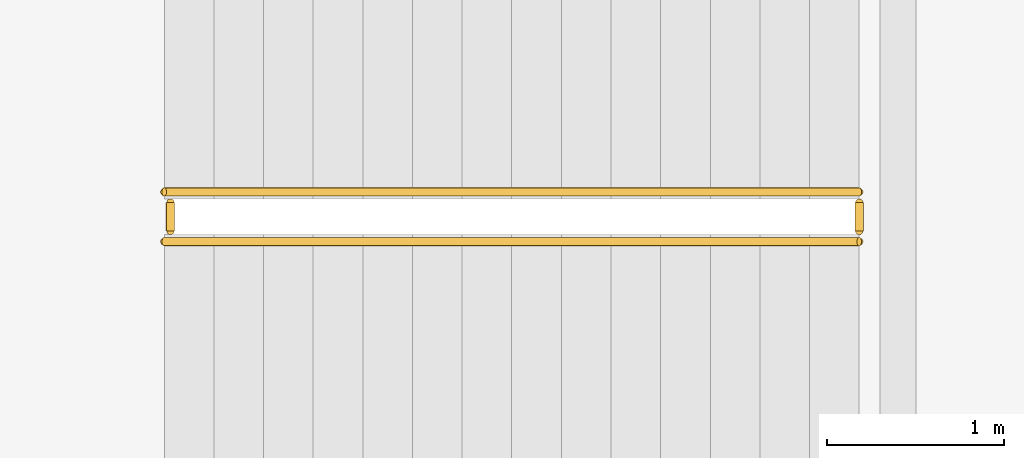
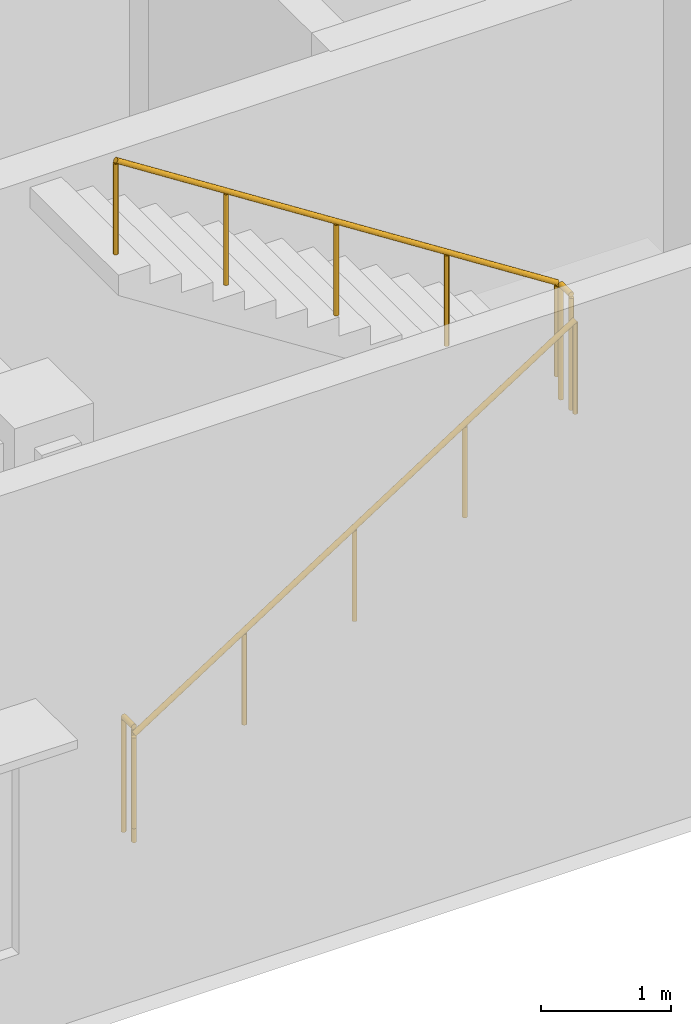
# One storey, part 63 of 64: 4 railings.
"""IFC4 building model written with IfcOpenShell, lengths in metres."""

import ifcopenshell
import ifcopenshell.guid

model = None  # the IFC model being written
_history = None  # IfcOwnerHistory: only IFC2X3 demands one
_inside = {}  # id of a spatial element -> (the spatial element, [elements in it])
_under = {}  # id of a project, library or spatial element -> (it, [spatial elements below it])
_declared = {}  # id of a project -> (the project, [libraries it declares])
_typed = {}  # id of a type object -> (the type object, [elements of that type])
_made_of = {}  # id of a material, layer set ... -> (it, [elements and type objects made of it])


def new_model(schema):
    """Start an empty IFC model of exactly this schema.

    Asked for "IFC4X3", IfcOpenShell would pick the latest addendum, in which some entities
    have other attributes; the version numbers below select the first issue.
    IFC2X3 requires an IfcOwnerHistory on every rooted entity: one is made here for all.
    """
    global model, _history
    if schema == "IFC4X3":
        model = ifcopenshell.file(schema_version=(4, 3, 0, 0))
    else:
        model = ifcopenshell.file(schema=schema)
    _inside.clear()
    _under.clear()
    _declared.clear()
    _typed.clear()
    _made_of.clear()
    _history = None
    if model.schema == "IFC2X3":
        org = make("IfcOrganization", Name="unknown")
        user = make(
            "IfcPersonAndOrganization",
            ThePerson=make("IfcPerson", FamilyName="unknown"),
            TheOrganization=org,
        )
        app = make(
            "IfcApplication",
            ApplicationDeveloper=org,
            Version="unknown",
            ApplicationFullName="unknown",
            ApplicationIdentifier="unknown",
        )
        _history = make(
            "IfcOwnerHistory",
            OwningUser=user,
            OwningApplication=app,
            ChangeAction="ADDED",
            CreationDate=0,
        )
    return model


def make(cls, **values):
    """One entity of the class cls with the attributes given. An attribute that is None is left unset."""
    return model.create_entity(
        cls, **{name: value for name, value in values.items() if value is not None}
    )


def rooted(cls, **values):
    """An entity with a GlobalId (a new one), such as an element, a storey or a relation."""
    return make(cls, GlobalId=ifcopenshell.guid.new(), OwnerHistory=_history, **values)


def si_unit(unit_type, name, prefix=None):
    """IfcSIUnit, for example si_unit("LENGTHUNIT", "METRE", prefix="MILLI")."""
    return make("IfcSIUnit", UnitType=unit_type, Prefix=prefix, Name=name)


def assignment(units):
    """IfcUnitAssignment: the units of a project."""
    return None if units is None else make("IfcUnitAssignment", Units=units)


def point(xyz):
    """IfcCartesianPoint."""
    return None if xyz is None else make("IfcCartesianPoint", Coordinates=xyz)


def direction(xyz):
    """IfcDirection."""
    return None if xyz is None else make("IfcDirection", DirectionRatios=xyz)


def frame(location, z_axis=None, x_axis=None):
    """IfcAxis2Placement3D, a coordinate frame: its origin and axes. An axis left out is left unset."""
    return make(
        "IfcAxis2Placement3D",
        Location=point(location),
        Axis=direction(z_axis),
        RefDirection=direction(x_axis),
    )


def frame_2d(location, x_axis=None):
    """IfcAxis2Placement2D, a coordinate frame in the plane: its origin and x axis."""
    return make(
        "IfcAxis2Placement2D", Location=point(location), RefDirection=direction(x_axis)
    )


def origin():
    """The frame at (0, 0, 0) with its axes left unset."""
    return frame((0.0, 0.0, 0.0))


def origin_2d():
    """The frame at (0, 0) in the plane with its x axis left unset."""
    return frame_2d((0.0, 0.0))


def place(relative_to, where):
    """IfcLocalPlacement: puts the frame where relative to a parent placement (None: the world)."""
    return make(
        "IfcLocalPlacement", PlacementRelTo=relative_to, RelativePlacement=where
    )


def context(
    kind, dimensions, precision=None, world=None, true_north=None, identifier=None
):
    """IfcGeometricRepresentationContext, for example the 3D "Model" context."""
    return make(
        "IfcGeometricRepresentationContext",
        ContextIdentifier=identifier,
        ContextType=kind,
        CoordinateSpaceDimension=dimensions,
        Precision=precision,
        WorldCoordinateSystem=world,
        TrueNorth=true_north,
    )


def subcontext(parent, identifier, kind, view, scale=None):
    """IfcGeometricRepresentationSubContext, for example "Body" below "Model"."""
    return make(
        "IfcGeometricRepresentationSubContext",
        ContextIdentifier=identifier,
        ContextType=kind,
        ParentContext=parent,
        TargetScale=scale,
        TargetView=view,
    )


def project(units=None, contexts=None):
    """IfcProject with its units and contexts."""
    return rooted(
        "IfcProject",
        Name="project",
        RepresentationContexts=contexts,
        UnitsInContext=assignment(units),
    )


def spatial(cls, under=None, at=None, **own):
    """A site, building, storey or space (cls), placed at a placement, below another one or the project."""
    s = rooted(cls, ObjectPlacement=at, **own)
    if under is not None:
        _under.setdefault(under.id(), (under, []))[1].append(s)
    return s


def profile(cls, at=None, kind="AREA", **sizes):
    """A parametric profile (cls). Its sizes go by their IFC names, for example OverallWidth=200.0."""
    return make(cls, ProfileType=kind, Position=at, **sizes)


def circle(**sizes):
    """IfcCircleProfileDef."""
    return profile("IfcCircleProfileDef", **sizes)


def extrude(swept, where, along, depth):
    """IfcExtrudedAreaSolid: the profile swept, set in the frame where, extruded along a direction by depth."""
    return make(
        "IfcExtrudedAreaSolid",
        SweptArea=swept,
        Position=where,
        ExtrudedDirection=direction(along),
        Depth=depth,
    )


def shape(context_of_items, identifier, shape_type, items):
    """IfcShapeRepresentation: the items that make up one representation, for example the "Body"."""
    return make(
        "IfcShapeRepresentation",
        ContextOfItems=context_of_items,
        RepresentationIdentifier=identifier,
        RepresentationType=shape_type,
        Items=items,
    )


def material(Name=None, Category=None):
    """IfcMaterial."""
    return make("IfcMaterial", Name=Name, Category=Category)


def made_of(thing, what):
    """Note that an element or type object is made of a material, layer set ...; save() writes the relation."""
    if what is not None:
        _made_of.setdefault(what.id(), (what, []))[1].append(thing)
    return thing


def type_object(cls, material=None, **own):
    """A type object (cls), such as IfcWallType, which elements share."""
    return made_of(rooted(cls, **own), material)


def element(
    cls,
    number,
    at=None,
    inside=None,
    cuts=None,
    type_object=None,
    material=None,
    context=None,
    identifier="Body",
    shape_type=None,
    held_by="IfcProductDefinitionShape",
    body=None,
    shapes=None,
    **own,
):
    """One element of the class cls, such as IfcWall. Its Tag is "e" and its number.

    at: its placement. inside: the storey or other place that contains it. cuts: it is an
    opening in that element (IfcRelVoidsElement). A single representation is given by context,
    identifier, shape_type and body (its items); several are given by shapes. held_by: the class
    of the entity that holds the representations. save() writes the other relations.
    """
    e = rooted(cls, Tag="e%d" % number, ObjectPlacement=at, **own)
    if body is not None:
        shapes = [shape(context, identifier, shape_type, body)]
    if shapes is not None:
        e.Representation = make(held_by, Representations=shapes)
    if inside is not None:
        _inside.setdefault(inside.id(), (inside, []))[1].append(e)
    if cuts is not None:
        rooted(
            "IfcRelVoidsElement", RelatingBuildingElement=cuts, RelatedOpeningElement=e
        )
    if type_object is not None:
        _typed.setdefault(type_object.id(), (type_object, []))[1].append(e)
    return made_of(e, material)


def aggregate(whole, parts):
    """IfcRelAggregates: a whole, such as a stair, and the parts it consists of."""
    return rooted("IfcRelAggregates", RelatingObject=whole, RelatedObjects=parts)


def save(model, path):
    """Write the relations noted so far, then the file.

    IfcRelAggregates (storeys below a building ...), IfcRelContainedInSpatialStructure (elements
    in a storey), IfcRelDefinesByType, IfcRelAssociatesMaterial and IfcRelDeclares: one each for
    every whole, place, type object, material and project.
    """
    for whole, parts in _under.values():
        aggregate(whole, parts)
    for where, things in _inside.values():
        rooted(
            "IfcRelContainedInSpatialStructure",
            RelatedElements=things,
            RelatingStructure=where,
        )
    for kind, things in _typed.values():
        rooted("IfcRelDefinesByType", RelatedObjects=things, RelatingType=kind)
    for what, things in _made_of.values():
        rooted("IfcRelAssociatesMaterial", RelatedObjects=things, RelatingMaterial=what)
    for by, libraries in _declared.values():
        rooted("IfcRelDeclares", RelatingContext=by, RelatedDefinitions=libraries)
    model.write(path)


model = new_model("IFC4")

# Units and contexts
model_context = context("Model", 3, precision=1e-05, world=origin(), true_north=direction((0.0, 1.0)))
body_context = subcontext(model_context, "Body", "Model", "MODEL_VIEW")
ifc_project = project(units=[si_unit("LENGTHUNIT", "METRE"), si_unit("AREAUNIT", "SQUARE_METRE"), si_unit("VOLUMEUNIT", "CUBIC_METRE"), si_unit("PLANEANGLEUNIT", "RADIAN"), si_unit("MASSUNIT", "GRAM", prefix="KILO")], contexts=[model_context])

# Site, building, storey
site_placement = place(None, origin())
site = spatial("IfcSite", under=ifc_project, at=site_placement, CompositionType="ELEMENT")
building_placement = place(site_placement, origin())
building = spatial("IfcBuilding", under=site, at=building_placement, Name="Cinchona Park Media Centre", CompositionType="ELEMENT")
storey_placement = place(building_placement, frame((0.0, 0.0, 10.199951171875)))
storey = spatial("IfcBuildingStorey", under=building, at=storey_placement, Name="L02", CompositionType="ELEMENT", Elevation=10.199951171875)

# Railings
ifc_material_1 = material(Name="Painted Steel Stairwell Guardrail", Category="steel")
railing_type_1 = type_object("IfcRailingType", Name="RAILING-GR02", PredefinedType="GUARDRAIL", material=ifc_material_1)
for number, where, name in (
    (1, (166.135009765625, 73.320068359375, 0.0), "Stairwell Guardrail GR02 ST1 L02"),
    (2, (170.02001953125, 73.320068359375, 2.699951171875), "Half-Landing Guardrail GR02 ST1 L02"),
):
    element("IfcRailing", number, at=place(storey_placement, frame(where)), inside=storey, type_object=railing_type_1, Name=name, PredefinedType="GUARDRAIL", context=body_context, shape_type="SweptSolid", body=[
        extrude(circle(Radius=0.02392578125, at=origin_2d()), frame((0.0, 0.0, 1.076171875), z_axis=(0.0, 1.0, 0.0), x_axis=(-1.0, 0.0, 0.0)), (0.0, 0.0, 1.0), 0.159912109375),
        extrude(circle(Radius=0.02099609375, at=origin_2d()), origin(), (0.0, 0.0, 1.0), 1.052001953125),
        extrude(circle(Radius=0.02099609375, at=origin_2d()), frame((0.0, 0.159912109375, 0.0)), (0.0, 0.0, 1.0), 1.052001953125),
    ])
ifc_material_2 = material(Name="Brushed Stainless Steel Handrail", Category="steel")
railing_type_2 = type_object("IfcRailingType", Name="RAILING-HR01", PredefinedType="HANDRAIL", material=ifc_material_2)
railing_1_placement = place(storey_placement, frame((166.10009765625, 73.260009765625, 0.179931640625)))
element("IfcRailing", 3, at=railing_1_placement, inside=storey, type_object=railing_type_2, Name="Stair Handrail HR01 ST1 L02 F1", PredefinedType="HANDRAIL", context=body_context, shape_type="SweptSolid", body=[
    extrude(circle(Radius=0.02392578125, at=origin_2d()), frame((0.0, 0.0, 0.8759765625), z_axis=(0.841171666519, 0.0, 0.540768182723), x_axis=(0.0, 1.0, 0.0)), (0.0, 0.0, 1.0), 4.66015625),
    extrude(circle(Radius=0.02099609375, at=origin_2d()), origin(), (0.0, 0.0, 1.0), 0.851806640625),
    extrude(circle(Radius=0.02099609375, at=origin_2d()), frame((0.97998046875, 0.0, 0.6298828125)), (0.0, 0.0, 1.0), 0.851806640625),
    extrude(circle(Radius=0.02099609375, at=origin_2d()), frame((1.9599609375, 0.0, 1.260009765625)), (0.0, 0.0, 1.0), 0.851806640625),
    extrude(circle(Radius=0.02099609375, at=origin_2d()), frame((2.93994140625, 0.0, 1.89013671875)), (0.0, 0.0, 1.0), 0.851806640625),
    extrude(circle(Radius=0.02099609375, at=origin_2d()), frame((3.919921875, 0.0, 2.52001953125)), (0.0, 0.0, 1.0), 0.851806640625),
])
railing_2_placement = place(storey_placement, frame((170.02001953125, 73.5400390625, 2.880126953125)))
element("IfcRailing", 4, at=railing_2_placement, inside=storey, type_object=railing_type_2, Name="Stair Handrail HR01 ST1 L02 F2", PredefinedType="HANDRAIL", context=body_context, shape_type="SweptSolid", body=[
    extrude(circle(Radius=0.02392578125, at=origin_2d()), frame((0.0, 0.0, 0.8759765625), z_axis=(-0.841171666519, 0.0, 0.540768182723), x_axis=(0.0, -1.0, 0.0)), (0.0, 0.0, 1.0), 4.66015625),
    extrude(circle(Radius=0.02099609375, at=origin_2d()), origin(), (0.0, 0.0, 1.0), 0.851806640625),
    extrude(circle(Radius=0.02099609375, at=origin_2d()), frame((-0.97998046875, 0.0, 0.6298828125)), (0.0, 0.0, 1.0), 0.851806640625),
    extrude(circle(Radius=0.02099609375, at=origin_2d()), frame((-1.9599609375, 0.0, 1.260009765625)), (0.0, 0.0, 1.0), 0.851806640625),
    extrude(circle(Radius=0.02099609375, at=origin_2d()), frame((-2.93994140625, 0.0, 1.89013671875)), (0.0, 0.0, 1.0), 0.851806640625),
    extrude(circle(Radius=0.02099609375, at=origin_2d()), frame((-3.919921875, 0.0, 2.52001953125)), (0.0, 0.0, 1.0), 0.851806640625),
])

save(model, "model.ifc")
